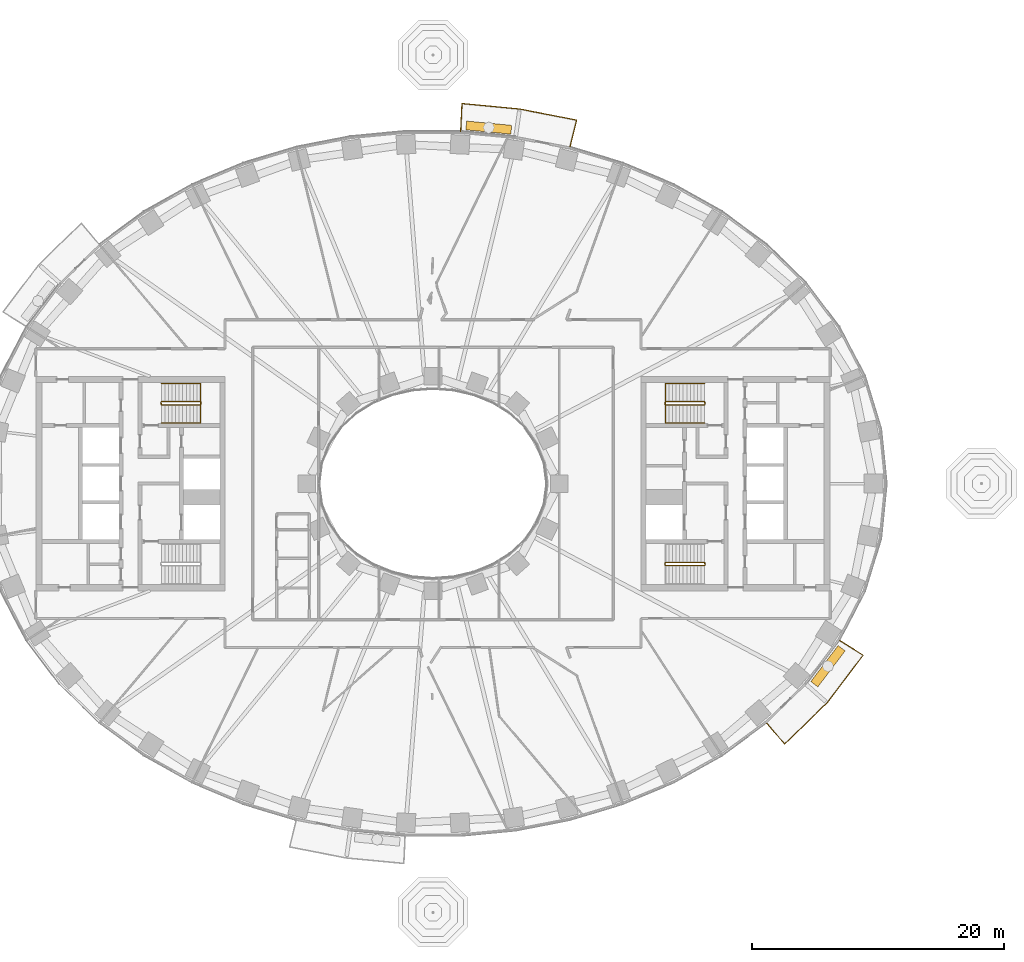
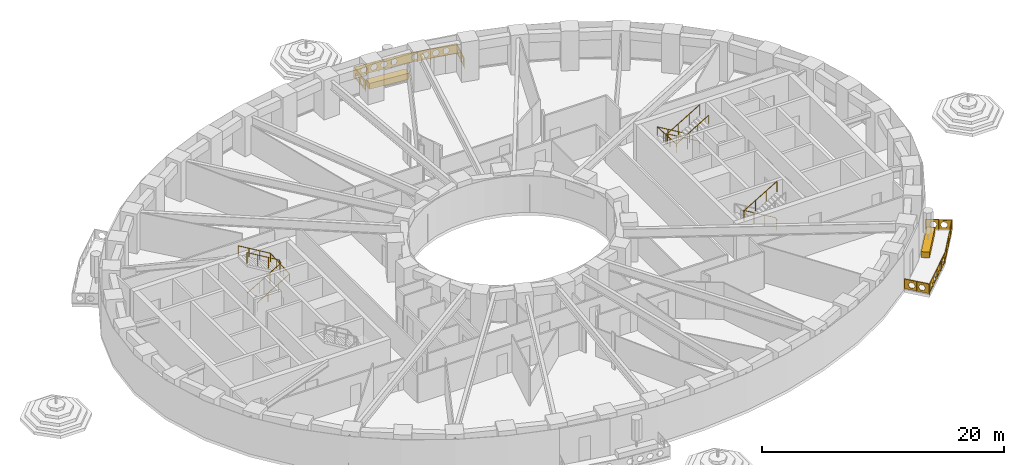
# One storey, part 14 of 20: 7 railings, 2 coverings.
"""IFC4 building model written with IfcOpenShell, lengths in metres."""

from ifc_helpers import new_model, si_unit, direction, frame, origin, origin_2d, place, context, subcontext, project, spatial, polyline, rectangle, outline, extrude, material, type_object, element, save


model = new_model("IFC4")

# Units and contexts
model_context = context("Model", 3, precision=1e-05, world=origin(), true_north=direction((0.0, 1.0)))
body_context = subcontext(model_context, "Body", "Model", "MODEL_VIEW")
ifc_project = project(units=[si_unit("LENGTHUNIT", "METRE"), si_unit("AREAUNIT", "SQUARE_METRE"), si_unit("VOLUMEUNIT", "CUBIC_METRE"), si_unit("PLANEANGLEUNIT", "RADIAN"), si_unit("MASSUNIT", "GRAM", prefix="KILO")], contexts=[model_context])

# Site, building, storey
site_placement = place(None, origin())
site = spatial("IfcSite", under=ifc_project, at=site_placement, CompositionType="ELEMENT")
building_placement = place(site_placement, origin())
building = spatial("IfcBuilding", under=site, at=building_placement, Name="Noorbagh Ring Tower", CompositionType="ELEMENT")
storey_placement = place(building_placement, frame((0.0, 0.0, 34.5)))
storey = spatial("IfcBuildingStorey", under=building, at=storey_placement, Name="L06", CompositionType="ELEMENT", Elevation=34.5)

# Railings
ifc_material_1 = material(Name="Stainless steel", Category="steel")
railing_type_1 = type_object("IfcRailingType", Name="CORE-STAIR-GUARD", PredefinedType="GUARDRAIL", material=ifc_material_1)
railing_1_placement = place(storey_placement, frame((-21.580078125, 6.300048828125, 0.0)))
element("IfcRailing", 1, at=railing_1_placement, inside=storey, type_object=railing_type_1, Name="L06 ST1 stair guard", PredefinedType="GUARDRAIL", context=body_context, shape_type="SweptSolid", body=[
    extrude(rectangle(XDim=0.048095703125, YDim=0.048095703125, at=origin_2d()), frame((0.0, 0.0, 1.076171875), z_axis=(0.0, 1.0, 0.0), x_axis=(-1.0, 0.0, 0.0)), (0.0, 0.0, 1.0), 0.14990234375),
    extrude(rectangle(XDim=0.048095703125, YDim=0.048095703125, at=origin_2d()), frame((0.0, 0.14990234375, 1.076171875), z_axis=(0.188775798145, -0.754182335027, 0.628945707965), x_axis=(0.970072785993, 0.242814311512, 0.0)), (0.0, 0.0, 1.0), 0.26513671875),
    extrude(rectangle(XDim=0.048095703125, YDim=0.048095703125, at=origin_2d()), frame((0.050048828125, -0.050048828125, 1.24267578125), z_axis=(0.859308565015, 0.0, 0.511457515432), x_axis=(0.0, 1.0, 0.0)), (0.0, 0.0, 1.0), 3.58447265625),
    extrude(rectangle(XDim=0.048095703125, YDim=0.048095703125, at=origin_2d()), frame((3.130126953125, -0.050048828125, 3.076171875), z_axis=(0.707106781187, 0.707106781187, 0.0), x_axis=(-0.707106781187, 0.707106781187, 0.0)), (0.0, 0.0, 1.0), 0.07080078125),
    extrude(rectangle(XDim=0.048095703125, YDim=0.048095703125, at=origin_2d()), frame((3.18017578125, 0.0, 3.076171875), z_axis=(0.0, 1.0, 0.0), x_axis=(-1.0, 0.0, 0.0)), (0.0, 0.0, 1.0), 0.14990234375),
    extrude(rectangle(XDim=0.048095703125, YDim=0.048095703125, at=origin_2d()), frame((3.18017578125, 0.14990234375, 3.076171875), z_axis=(-0.27628659633, 0.27628659633, 0.920506074601), x_axis=(-0.707106781187, -0.707106781187, 0.0)), (0.0, 0.0, 1.0), 0.18115234375),
    extrude(rectangle(XDim=0.048095703125, YDim=0.048095703125, at=origin_2d()), frame((3.130126953125, 0.199951171875, 3.24267578125), z_axis=(-0.859308565015, 0.0, 0.511457515432), x_axis=(0.0, -1.0, 0.0)), (0.0, 0.0, 1.0), 3.58447265625),
    extrude(rectangle(XDim=0.0419921875, YDim=0.0419921875, at=origin_2d()), origin(), (0.0, 0.0, 1.0), 1.052001953125),
    extrude(rectangle(XDim=0.0419921875, YDim=0.0419921875, at=origin_2d()), frame((1.07666015625, -0.050048828125, 0.77783203125)), (0.0, 0.0, 1.0), 1.052001953125),
    extrude(rectangle(XDim=0.0419921875, YDim=0.0419921875, at=origin_2d()), frame((2.103515625, -0.050048828125, 1.388916015625)), (0.0, 0.0, 1.0), 1.052001953125),
    extrude(rectangle(XDim=0.0419921875, YDim=0.0419921875, at=origin_2d()), frame((3.130126953125, -0.050048828125, 2.0)), (0.0, 0.0, 1.0), 1.052001953125),
    extrude(rectangle(XDim=0.0419921875, YDim=0.0419921875, at=origin_2d()), frame((3.130126953125, 0.199951171875, 2.166748046875)), (0.0, 0.0, 1.0), 1.052001953125),
    extrude(rectangle(XDim=0.0419921875, YDim=0.0419921875, at=origin_2d()), frame((2.103515625, 0.199951171875, 2.77783203125)), (0.0, 0.0, 1.0), 1.052001953125),
    extrude(rectangle(XDim=0.0419921875, YDim=0.0419921875, at=origin_2d()), frame((1.07666015625, 0.199951171875, 3.388916015625)), (0.0, 0.0, 1.0), 1.052001953125),
    extrude(rectangle(XDim=0.0419921875, YDim=0.0419921875, at=origin_2d()), frame((0.050048828125, 0.199951171875, 4.0)), (0.0, 0.0, 1.0), 1.052001953125),
])
railing_2_placement = place(storey_placement, frame((21.580078125, 6.449951171875, 0.0)))
element("IfcRailing", 2, at=railing_2_placement, inside=storey, type_object=railing_type_1, Name="L06 ST3 stair guard", PredefinedType="GUARDRAIL", context=body_context, shape_type="SweptSolid", body=[
    extrude(rectangle(XDim=0.048095703125, YDim=0.048095703125, at=origin_2d()), frame((0.0, 0.0, 1.076171875), z_axis=(0.0, -1.0, 0.0), x_axis=(1.0, 0.0, 0.0)), (0.0, 0.0, 1.0), 0.14990234375),
    extrude(rectangle(XDim=0.048095703125, YDim=0.048095703125, at=origin_2d()), frame((0.0, -0.14990234375, 1.076171875), z_axis=(-0.188775798145, 0.754182335027, 0.628945707965), x_axis=(-0.970072785993, -0.242814311512, 0.0)), (0.0, 0.0, 1.0), 0.26513671875),
    extrude(rectangle(XDim=0.048095703125, YDim=0.048095703125, at=origin_2d()), frame((-0.050048828125, 0.050048828125, 1.24267578125), z_axis=(-0.859308565015, 0.0, 0.511457515432), x_axis=(0.0, -1.0, 0.0)), (0.0, 0.0, 1.0), 3.58447265625),
    extrude(rectangle(XDim=0.048095703125, YDim=0.048095703125, at=origin_2d()), frame((-3.130126953125, 0.050048828125, 3.076171875), z_axis=(-0.707106781187, -0.707106781187, 0.0), x_axis=(0.707106781187, -0.707106781187, 0.0)), (0.0, 0.0, 1.0), 0.07080078125),
    extrude(rectangle(XDim=0.048095703125, YDim=0.048095703125, at=origin_2d()), frame((-3.18017578125, 0.0, 3.076171875), z_axis=(0.0, -1.0, 0.0), x_axis=(1.0, 0.0, 0.0)), (0.0, 0.0, 1.0), 0.14990234375),
    extrude(rectangle(XDim=0.048095703125, YDim=0.048095703125, at=origin_2d()), frame((-3.18017578125, -0.14990234375, 3.076171875), z_axis=(0.27628659633, -0.27628659633, 0.920506074601), x_axis=(0.707106781187, 0.707106781187, 0.0)), (0.0, 0.0, 1.0), 0.18115234375),
    extrude(rectangle(XDim=0.048095703125, YDim=0.048095703125, at=origin_2d()), frame((-3.130126953125, -0.199951171875, 3.24267578125), z_axis=(0.859308565015, 0.0, 0.511457515432), x_axis=(0.0, 1.0, 0.0)), (0.0, 0.0, 1.0), 3.58447265625),
    extrude(rectangle(XDim=0.0419921875, YDim=0.0419921875, at=origin_2d()), origin(), (0.0, 0.0, 1.0), 1.052001953125),
    extrude(rectangle(XDim=0.0419921875, YDim=0.0419921875, at=origin_2d()), frame((-1.07666015625, 0.050048828125, 0.77783203125)), (0.0, 0.0, 1.0), 1.052001953125),
    extrude(rectangle(XDim=0.0419921875, YDim=0.0419921875, at=origin_2d()), frame((-2.103515625, 0.050048828125, 1.388916015625)), (0.0, 0.0, 1.0), 1.052001953125),
    extrude(rectangle(XDim=0.0419921875, YDim=0.0419921875, at=origin_2d()), frame((-3.130126953125, 0.050048828125, 2.0)), (0.0, 0.0, 1.0), 1.052001953125),
    extrude(rectangle(XDim=0.0419921875, YDim=0.0419921875, at=origin_2d()), frame((-3.130126953125, -0.199951171875, 2.166748046875)), (0.0, 0.0, 1.0), 1.052001953125),
    extrude(rectangle(XDim=0.0419921875, YDim=0.0419921875, at=origin_2d()), frame((-2.103515625, -0.199951171875, 2.77783203125)), (0.0, 0.0, 1.0), 1.052001953125),
    extrude(rectangle(XDim=0.0419921875, YDim=0.0419921875, at=origin_2d()), frame((-1.07666015625, -0.199951171875, 3.388916015625)), (0.0, 0.0, 1.0), 1.052001953125),
    extrude(rectangle(XDim=0.0419921875, YDim=0.0419921875, at=origin_2d()), frame((-0.050048828125, -0.199951171875, 4.0)), (0.0, 0.0, 1.0), 1.052001953125),
])
railing_3_placement = place(storey_placement, frame((21.580078125, -6.300048828125, 0.0)))
element("IfcRailing", 3, at=railing_3_placement, inside=storey, type_object=railing_type_1, Name="L06 ST4 stair guard", PredefinedType="GUARDRAIL", context=body_context, shape_type="SweptSolid", body=[
    extrude(rectangle(XDim=0.048095703125, YDim=0.048095703125, at=origin_2d()), frame((0.0, 0.0, 1.076171875), z_axis=(0.0, -1.0, 0.0), x_axis=(1.0, 0.0, 0.0)), (0.0, 0.0, 1.0), 0.14990234375),
    extrude(rectangle(XDim=0.048095703125, YDim=0.048095703125, at=origin_2d()), frame((0.0, -0.14990234375, 1.076171875), z_axis=(-0.188775798145, 0.754182335027, 0.628945707965), x_axis=(-0.970072785993, -0.242814311512, 0.0)), (0.0, 0.0, 1.0), 0.26513671875),
    extrude(rectangle(XDim=0.048095703125, YDim=0.048095703125, at=origin_2d()), frame((-0.050048828125, 0.050048828125, 1.24267578125), z_axis=(-0.859308565015, 0.0, 0.511457515432), x_axis=(0.0, -1.0, 0.0)), (0.0, 0.0, 1.0), 3.58447265625),
    extrude(rectangle(XDim=0.048095703125, YDim=0.048095703125, at=origin_2d()), frame((-3.130126953125, 0.050048828125, 3.076171875), z_axis=(-0.707106781187, -0.707106781187, 0.0), x_axis=(0.707106781187, -0.707106781187, 0.0)), (0.0, 0.0, 1.0), 0.07080078125),
    extrude(rectangle(XDim=0.048095703125, YDim=0.048095703125, at=origin_2d()), frame((-3.18017578125, 0.0, 3.076171875), z_axis=(0.0, -1.0, 0.0), x_axis=(1.0, 0.0, 0.0)), (0.0, 0.0, 1.0), 0.14990234375),
    extrude(rectangle(XDim=0.048095703125, YDim=0.048095703125, at=origin_2d()), frame((-3.18017578125, -0.14990234375, 3.076171875), z_axis=(0.27628659633, -0.27628659633, 0.920506074601), x_axis=(0.707106781187, 0.707106781187, 0.0)), (0.0, 0.0, 1.0), 0.18115234375),
    extrude(rectangle(XDim=0.048095703125, YDim=0.048095703125, at=origin_2d()), frame((-3.130126953125, -0.199951171875, 3.24267578125), z_axis=(0.859308565015, 0.0, 0.511457515432), x_axis=(0.0, 1.0, 0.0)), (0.0, 0.0, 1.0), 3.58447265625),
    extrude(rectangle(XDim=0.0419921875, YDim=0.0419921875, at=origin_2d()), origin(), (0.0, 0.0, 1.0), 1.052001953125),
    extrude(rectangle(XDim=0.0419921875, YDim=0.0419921875, at=origin_2d()), frame((-1.07666015625, 0.050048828125, 0.77783203125)), (0.0, 0.0, 1.0), 1.052001953125),
    extrude(rectangle(XDim=0.0419921875, YDim=0.0419921875, at=origin_2d()), frame((-2.103515625, 0.050048828125, 1.388916015625)), (0.0, 0.0, 1.0), 1.052001953125),
    extrude(rectangle(XDim=0.0419921875, YDim=0.0419921875, at=origin_2d()), frame((-3.130126953125, 0.050048828125, 2.0)), (0.0, 0.0, 1.0), 1.052001953125),
    extrude(rectangle(XDim=0.0419921875, YDim=0.0419921875, at=origin_2d()), frame((-3.130126953125, -0.199951171875, 2.166748046875)), (0.0, 0.0, 1.0), 1.052001953125),
    extrude(rectangle(XDim=0.0419921875, YDim=0.0419921875, at=origin_2d()), frame((-2.103515625, -0.199951171875, 2.77783203125)), (0.0, 0.0, 1.0), 1.052001953125),
    extrude(rectangle(XDim=0.0419921875, YDim=0.0419921875, at=origin_2d()), frame((-1.07666015625, -0.199951171875, 3.388916015625)), (0.0, 0.0, 1.0), 1.052001953125),
    extrude(rectangle(XDim=0.0419921875, YDim=0.0419921875, at=origin_2d()), frame((-0.050048828125, -0.199951171875, 4.0)), (0.0, 0.0, 1.0), 1.052001953125),
])
ifc_material_2 = material(Name="Stainless steel", Category="steel")
railing_type_2 = type_object("IfcRailingType", Name="CORE-STAIR-HANDRAIL", PredefinedType="HANDRAIL", material=ifc_material_2)
railing_4_placement = place(storey_placement, frame((-21.530029296875, 4.800048828125, 0.166748046875)))
element("IfcRailing", 4, at=railing_4_placement, inside=storey, type_object=railing_type_2, Name="L06 ST1 stair handrail", PredefinedType="HANDRAIL", context=body_context, shape_type="SweptSolid", body=[
    extrude(rectangle(XDim=0.048095703125, YDim=0.048095703125, at=origin_2d()), frame((0.0, 0.0, 0.8759765625), z_axis=(0.859308565015, 0.0, 0.511457515432), x_axis=(0.0, 1.0, 0.0)), (0.0, 0.0, 1.0), 3.58447265625),
    extrude(rectangle(XDim=0.048095703125, YDim=0.048095703125, at=origin_2d()), frame((3.080078125, 0.0, 2.708984375), z_axis=(0.0, 0.998601747152, 0.052863509014), x_axis=(-1.0, 0.0, 0.0)), (0.0, 0.0, 1.0), 3.154296875),
    extrude(rectangle(XDim=0.048095703125, YDim=0.048095703125, at=origin_2d()), frame((3.080078125, 3.14990234375, 2.8759765625), z_axis=(-0.859308565015, 0.0, 0.511457515432), x_axis=(0.0, -1.0, 0.0)), (0.0, 0.0, 1.0), 3.58447265625),
    extrude(rectangle(XDim=0.0419921875, YDim=0.0419921875, at=origin_2d()), origin(), (0.0, 0.0, 1.0), 0.851806640625),
    extrude(rectangle(XDim=0.0419921875, YDim=0.0419921875, at=origin_2d()), frame((1.026611328125, 0.0, 0.611083984375)), (0.0, 0.0, 1.0), 0.851806640625),
    extrude(rectangle(XDim=0.0419921875, YDim=0.0419921875, at=origin_2d()), frame((2.053466796875, 0.0, 1.22216796875)), (0.0, 0.0, 1.0), 0.851806640625),
    extrude(rectangle(XDim=0.0419921875, YDim=0.0419921875, at=origin_2d()), frame((3.080078125, 0.0, 1.833251953125)), (0.0, 0.0, 1.0), 0.851806640625),
    extrude(rectangle(XDim=0.0419921875, YDim=0.0419921875, at=origin_2d()), frame((3.080078125, 1.050048828125, 1.888916015625)), (0.0, 0.0, 1.0), 0.851806640625),
    extrude(rectangle(XDim=0.0419921875, YDim=0.0419921875, at=origin_2d()), frame((3.080078125, 2.099853515625, 1.9443359375)), (0.0, 0.0, 1.0), 0.851806640625),
    extrude(rectangle(XDim=0.0419921875, YDim=0.0419921875, at=origin_2d()), frame((3.080078125, 3.14990234375, 2.0)), (0.0, 0.0, 1.0), 0.851806640625),
    extrude(rectangle(XDim=0.0419921875, YDim=0.0419921875, at=origin_2d()), frame((2.053466796875, 3.14990234375, 2.611083984375)), (0.0, 0.0, 1.0), 0.851806640625),
    extrude(rectangle(XDim=0.0419921875, YDim=0.0419921875, at=origin_2d()), frame((1.026611328125, 3.14990234375, 3.22216796875)), (0.0, 0.0, 1.0), 0.851806640625),
    extrude(rectangle(XDim=0.0419921875, YDim=0.0419921875, at=origin_2d()), frame((0.0, 3.14990234375, 3.833251953125)), (0.0, 0.0, 1.0), 0.851806640625),
])
railing_5_placement = place(storey_placement, frame((21.530029296875, 7.949951171875, 0.166748046875)))
element("IfcRailing", 5, at=railing_5_placement, inside=storey, type_object=railing_type_2, Name="L06 ST3 stair handrail", PredefinedType="HANDRAIL", context=body_context, shape_type="SweptSolid", body=[
    extrude(rectangle(XDim=0.048095703125, YDim=0.048095703125, at=origin_2d()), frame((0.0, 0.0, 0.8759765625), z_axis=(-0.859308565015, 0.0, 0.511457515432), x_axis=(0.0, -1.0, 0.0)), (0.0, 0.0, 1.0), 3.58447265625),
    extrude(rectangle(XDim=0.048095703125, YDim=0.048095703125, at=origin_2d()), frame((-3.080078125, 0.0, 2.708984375), z_axis=(0.0, -0.998601747152, 0.052863509014), x_axis=(1.0, 0.0, 0.0)), (0.0, 0.0, 1.0), 3.154296875),
    extrude(rectangle(XDim=0.048095703125, YDim=0.048095703125, at=origin_2d()), frame((-3.080078125, -3.14990234375, 2.8759765625), z_axis=(0.859308565015, 0.0, 0.511457515432), x_axis=(0.0, 1.0, 0.0)), (0.0, 0.0, 1.0), 3.58447265625),
    extrude(rectangle(XDim=0.0419921875, YDim=0.0419921875, at=origin_2d()), origin(), (0.0, 0.0, 1.0), 0.851806640625),
    extrude(rectangle(XDim=0.0419921875, YDim=0.0419921875, at=origin_2d()), frame((-1.026611328125, 0.0, 0.611083984375)), (0.0, 0.0, 1.0), 0.851806640625),
    extrude(rectangle(XDim=0.0419921875, YDim=0.0419921875, at=origin_2d()), frame((-2.053466796875, 0.0, 1.22216796875)), (0.0, 0.0, 1.0), 0.851806640625),
    extrude(rectangle(XDim=0.0419921875, YDim=0.0419921875, at=origin_2d()), frame((-3.080078125, 0.0, 1.833251953125)), (0.0, 0.0, 1.0), 0.851806640625),
    extrude(rectangle(XDim=0.0419921875, YDim=0.0419921875, at=origin_2d()), frame((-3.080078125, -1.050048828125, 1.888916015625)), (0.0, 0.0, 1.0), 0.851806640625),
    extrude(rectangle(XDim=0.0419921875, YDim=0.0419921875, at=origin_2d()), frame((-3.080078125, -2.099853515625, 1.9443359375)), (0.0, 0.0, 1.0), 0.851806640625),
    extrude(rectangle(XDim=0.0419921875, YDim=0.0419921875, at=origin_2d()), frame((-3.080078125, -3.14990234375, 2.0)), (0.0, 0.0, 1.0), 0.851806640625),
    extrude(rectangle(XDim=0.0419921875, YDim=0.0419921875, at=origin_2d()), frame((-2.053466796875, -3.14990234375, 2.611083984375)), (0.0, 0.0, 1.0), 0.851806640625),
    extrude(rectangle(XDim=0.0419921875, YDim=0.0419921875, at=origin_2d()), frame((-1.026611328125, -3.14990234375, 3.22216796875)), (0.0, 0.0, 1.0), 0.851806640625),
    extrude(rectangle(XDim=0.0419921875, YDim=0.0419921875, at=origin_2d()), frame((0.0, -3.14990234375, 3.833251953125)), (0.0, 0.0, 1.0), 0.851806640625),
])
ifc_material_3 = material(Name="Steel S275 black powder-coated", Category="steel")
railing_type_3 = type_object("IfcRailingType", Name="ENV-GUARD", PredefinedType="GUARDRAIL", material=ifc_material_3)
railing_6_placement = place(storey_placement, frame((10.865234375, 26.6943359375, 0.0)))
element("IfcRailing", 6, at=railing_6_placement, inside=storey, type_object=railing_type_3, Name="Balcony guard BN03", PredefinedType="GUARDRAIL", context=body_context, shape_type="SweptSolid", body=[
    extrude(rectangle(XDim=0.048095703125, YDim=0.048095703125, at=origin_2d()), frame((0.0, 0.0, 1.076171875), z_axis=(0.239848558412, 0.970810315679, 0.0), x_axis=(-0.970810315679, 0.239848558412, 0.0)), (0.0, 0.0, 1.0), 2.20263671875),
    extrude(rectangle(XDim=0.048095703125, YDim=0.048095703125, at=origin_2d()), frame((0.5283203125, 2.138427734375, 1.076171875), z_axis=(-0.981625049064, 0.1908199755, 0.0), x_axis=(-0.1908199755, -0.981625049064, 0.0)), (0.0, 0.0, 1.0), 4.603271484375),
    extrude(rectangle(XDim=0.048095703125, YDim=0.048095703125, at=origin_2d()), frame((-3.990478515625, 3.016845703125, 1.076171875), z_axis=(-0.995477555764, 0.094997031379, 0.0), x_axis=(-0.094997031379, -0.995477555764, 0.0)), (0.0, 0.0, 1.0), 4.59765625),
    extrude(rectangle(XDim=0.048095703125, YDim=0.048095703125, at=origin_2d()), frame((-8.5673828125, 3.45361328125, 1.076171875), z_axis=(-0.047554616162, -0.998868639252, 0.0), x_axis=(0.998868639252, -0.047554616162, 0.0)), (0.0, 0.0, 1.0), 2.202392578125),
    extrude(rectangle(XDim=0.0419921875, YDim=0.0419921875, at=origin_2d()), origin(), (0.0, 0.0, 1.0), 1.052001953125),
    extrude(rectangle(XDim=0.0419921875, YDim=0.0419921875, at=origin_2d()), frame((0.26416015625, 1.0693359375, 0.0)), (0.0, 0.0, 1.0), 1.052001953125),
    extrude(rectangle(XDim=0.0419921875, YDim=0.0419921875, at=origin_2d()), frame((0.5283203125, 2.138427734375, 0.0)), (0.0, 0.0, 1.0), 1.052001953125),
    extrude(rectangle(XDim=0.0419921875, YDim=0.0419921875, at=origin_2d()), frame((-0.601318359375, 2.35791015625, 0.0)), (0.0, 0.0, 1.0), 1.052001953125),
    extrude(rectangle(XDim=0.0419921875, YDim=0.0419921875, at=origin_2d()), frame((-1.73095703125, 2.57763671875, 0.0)), (0.0, 0.0, 1.0), 1.052001953125),
    extrude(rectangle(XDim=0.0419921875, YDim=0.0419921875, at=origin_2d()), frame((-2.86083984375, 2.79736328125, 0.0)), (0.0, 0.0, 1.0), 1.052001953125),
    extrude(rectangle(XDim=0.0419921875, YDim=0.0419921875, at=origin_2d()), frame((-3.990478515625, 3.016845703125, 0.0)), (0.0, 0.0, 1.0), 1.052001953125),
    extrude(rectangle(XDim=0.0419921875, YDim=0.0419921875, at=origin_2d()), frame((-5.134765625, 3.1259765625, 0.0)), (0.0, 0.0, 1.0), 1.052001953125),
    extrude(rectangle(XDim=0.0419921875, YDim=0.0419921875, at=origin_2d()), frame((-6.27880859375, 3.2353515625, 0.0)), (0.0, 0.0, 1.0), 1.052001953125),
    extrude(rectangle(XDim=0.0419921875, YDim=0.0419921875, at=origin_2d()), frame((-7.423095703125, 3.344482421875, 0.0)), (0.0, 0.0, 1.0), 1.052001953125),
    extrude(rectangle(XDim=0.0419921875, YDim=0.0419921875, at=origin_2d()), frame((-8.5673828125, 3.45361328125, 0.0)), (0.0, 0.0, 1.0), 1.052001953125),
    extrude(rectangle(XDim=0.0419921875, YDim=0.0419921875, at=origin_2d()), frame((-8.61962890625, 2.353515625, 0.0)), (0.0, 0.0, 1.0), 1.052001953125),
    extrude(rectangle(XDim=0.0419921875, YDim=0.0419921875, at=origin_2d()), frame((-8.672119140625, 1.253662109375, 0.0)), (0.0, 0.0, 1.0), 1.052001953125),
    extrude(outline(polyline([(0.0, 0.10009765625), (2.20263671875, 0.10009765625), (2.20263671875, 1.031982421875), (0.0, 1.031982421875), (0.0, 0.10009765625)]), holes=[polyline([(0.96142578125, 0.56591796875), (0.806396484375, 0.83447265625), (0.496337890625, 0.83447265625), (0.34130859375, 0.56591796875), (0.496337890625, 0.297607421875), (0.806396484375, 0.297607421875), (0.96142578125, 0.56591796875)]), polyline([(1.861328125, 0.56591796875), (1.706298828125, 0.83447265625), (1.396240234375, 0.83447265625), (1.241455078125, 0.56591796875), (1.396240234375, 0.297607421875), (1.706298828125, 0.297607421875), (1.861328125, 0.56591796875)])]), frame((-0.009765625, 0.00244140625, 0.0), z_axis=(0.970810315679, -0.239848558412, 0.0), x_axis=(0.239848558412, 0.970810315679, 0.0)), (0.0, 0.0, 1.0), 0.02001953125),
    extrude(outline(polyline([(0.0, 0.10009765625), (4.603271484375, 0.10009765625), (4.603271484375, 1.031982421875), (0.0, 1.031982421875), (0.0, 0.10009765625)]), holes=[polyline([(1.26171875, 0.56591796875), (1.106689453125, 0.83447265625), (0.796630859375, 0.83447265625), (0.6416015625, 0.56591796875), (0.796630859375, 0.297607421875), (1.106689453125, 0.297607421875), (1.26171875, 0.56591796875)]), polyline([(2.16162109375, 0.56591796875), (2.006591796875, 0.83447265625), (1.69677734375, 0.83447265625), (1.541748046875, 0.56591796875), (1.69677734375, 0.297607421875), (2.006591796875, 0.297607421875), (2.16162109375, 0.56591796875)]), polyline([(3.061767578125, 0.56591796875), (2.90673828125, 0.83447265625), (2.5966796875, 0.83447265625), (2.441650390625, 0.56591796875), (2.5966796875, 0.297607421875), (2.90673828125, 0.297607421875), (3.061767578125, 0.56591796875)]), polyline([(3.961669921875, 0.56591796875), (3.806640625, 0.83447265625), (3.49658203125, 0.83447265625), (3.341796875, 0.56591796875), (3.49658203125, 0.297607421875), (3.806640625, 0.297607421875), (3.961669921875, 0.56591796875)])]), frame((0.5263671875, 2.128662109375, 0.0), z_axis=(0.1908199755, 0.981625049064, 0.0), x_axis=(-0.981625049064, 0.1908199755, 0.0)), (0.0, 0.0, 1.0), 0.02001953125),
    extrude(outline(polyline([(0.0, 0.10009765625), (4.59765625, 0.10009765625), (4.59765625, 1.031982421875), (0.0, 1.031982421875), (0.0, 0.10009765625)]), holes=[polyline([(1.2587890625, 0.56591796875), (1.103759765625, 0.83447265625), (0.7939453125, 0.83447265625), (0.638916015625, 0.56591796875), (0.7939453125, 0.297607421875), (1.103759765625, 0.297607421875), (1.2587890625, 0.56591796875)]), polyline([(2.158935546875, 0.56591796875), (2.00390625, 0.83447265625), (1.69384765625, 0.83447265625), (1.538818359375, 0.56591796875), (1.69384765625, 0.297607421875), (2.00390625, 0.297607421875), (2.158935546875, 0.56591796875)]), polyline([(3.058837890625, 0.56591796875), (2.90380859375, 0.83447265625), (2.59375, 0.83447265625), (2.43896484375, 0.56591796875), (2.59375, 0.297607421875), (2.90380859375, 0.297607421875), (3.058837890625, 0.56591796875)]), polyline([(3.958740234375, 0.56591796875), (3.803955078125, 0.83447265625), (3.493896484375, 0.83447265625), (3.3388671875, 0.56591796875), (3.493896484375, 0.297607421875), (3.803955078125, 0.297607421875), (3.958740234375, 0.56591796875)])]), frame((-3.991455078125, 3.0068359375, 0.0), z_axis=(0.094997031379, 0.995477555764, 0.0), x_axis=(-0.995477555764, 0.094997031379, 0.0)), (0.0, 0.0, 1.0), 0.02001953125),
    extrude(outline(polyline([(0.0, 0.10009765625), (2.202392578125, 0.10009765625), (2.202392578125, 1.031982421875), (0.0, 1.031982421875), (0.0, 0.10009765625)]), holes=[polyline([(0.961181640625, 0.56591796875), (0.80615234375, 0.83447265625), (0.496337890625, 0.83447265625), (0.34130859375, 0.56591796875), (0.496337890625, 0.297607421875), (0.80615234375, 0.297607421875), (0.961181640625, 0.56591796875)]), polyline([(1.861328125, 0.56591796875), (1.706298828125, 0.83447265625), (1.396240234375, 0.83447265625), (1.2412109375, 0.56591796875), (1.396240234375, 0.297607421875), (1.706298828125, 0.297607421875), (1.861328125, 0.56591796875)])]), frame((-8.557373046875, 3.453125, 0.0), z_axis=(-0.998868639252, 0.047554616162, 0.0), x_axis=(-0.047554616162, -0.998868639252, 0.0)), (0.0, 0.0, 1.0), 0.02001953125),
])
railing_7_placement = place(storey_placement, frame((26.463134765625, -18.983154296875, 0.0)))
element("IfcRailing", 7, at=railing_7_placement, inside=storey, type_object=railing_type_3, Name="Balcony guard BS06", PredefinedType="GUARDRAIL", context=body_context, shape_type="SweptSolid", body=[
    extrude(rectangle(XDim=0.048095703125, YDim=0.048095703125, at=origin_2d()), frame((0.0, 0.0, 1.076171875), z_axis=(0.646413574048, -0.762987215677, 0.0), x_axis=(0.762987215677, 0.646413574048, 0.0)), (0.0, 0.0, 1.0), 2.205322265625),
    extrude(rectangle(XDim=0.048095703125, YDim=0.048095703125, at=origin_2d()), frame((1.425537109375, -1.6826171875, 1.076171875), z_axis=(0.717212632946, 0.696854388766, 0.0), x_axis=(-0.696854388766, 0.717212632946, 0.0)), (0.0, 0.0, 1.0), 4.700927734375),
    extrude(rectangle(XDim=0.048095703125, YDim=0.048095703125, at=origin_2d()), frame((4.797119140625, 1.59326171875, 1.076171875), z_axis=(0.604001613322, 0.796983093362, 0.0), x_axis=(-0.796983093362, 0.604001613322, 0.0)), (0.0, 0.0, 1.0), 4.7353515625),
    extrude(rectangle(XDim=0.048095703125, YDim=0.048095703125, at=origin_2d()), frame((7.6572265625, 5.3671875, 1.076171875), z_axis=(-0.844852397829, 0.534999463442, 0.0), x_axis=(-0.534999463442, -0.844852397829, 0.0)), (0.0, 0.0, 1.0), 2.207763671875),
    extrude(rectangle(XDim=0.0419921875, YDim=0.0419921875, at=origin_2d()), origin(), (0.0, 0.0, 1.0), 1.052001953125),
    extrude(rectangle(XDim=0.0419921875, YDim=0.0419921875, at=origin_2d()), frame((0.712890625, -0.84130859375, 0.0)), (0.0, 0.0, 1.0), 1.052001953125),
    extrude(rectangle(XDim=0.0419921875, YDim=0.0419921875, at=origin_2d()), frame((1.425537109375, -1.6826171875, 0.0)), (0.0, 0.0, 1.0), 1.052001953125),
    extrude(rectangle(XDim=0.0419921875, YDim=0.0419921875, at=origin_2d()), frame((2.2685546875, -0.86376953125, 0.0)), (0.0, 0.0, 1.0), 1.052001953125),
    extrude(rectangle(XDim=0.0419921875, YDim=0.0419921875, at=origin_2d()), frame((3.111328125, -0.044677734375, 0.0)), (0.0, 0.0, 1.0), 1.052001953125),
    extrude(rectangle(XDim=0.0419921875, YDim=0.0419921875, at=origin_2d()), frame((3.9541015625, 0.7744140625, 0.0)), (0.0, 0.0, 1.0), 1.052001953125),
    extrude(rectangle(XDim=0.0419921875, YDim=0.0419921875, at=origin_2d()), frame((4.797119140625, 1.59326171875, 0.0)), (0.0, 0.0, 1.0), 1.052001953125),
    extrude(rectangle(XDim=0.0419921875, YDim=0.0419921875, at=origin_2d()), frame((5.51220703125, 2.53662109375, 0.0)), (0.0, 0.0, 1.0), 1.052001953125),
    extrude(rectangle(XDim=0.0419921875, YDim=0.0419921875, at=origin_2d()), frame((6.22705078125, 3.480224609375, 0.0)), (0.0, 0.0, 1.0), 1.052001953125),
    extrude(rectangle(XDim=0.0419921875, YDim=0.0419921875, at=origin_2d()), frame((6.942138671875, 4.423828125, 0.0)), (0.0, 0.0, 1.0), 1.052001953125),
    extrude(rectangle(XDim=0.0419921875, YDim=0.0419921875, at=origin_2d()), frame((7.6572265625, 5.3671875, 0.0)), (0.0, 0.0, 1.0), 1.052001953125),
    extrude(rectangle(XDim=0.0419921875, YDim=0.0419921875, at=origin_2d()), frame((6.724609375, 5.957763671875, 0.0)), (0.0, 0.0, 1.0), 1.052001953125),
    extrude(rectangle(XDim=0.0419921875, YDim=0.0419921875, at=origin_2d()), frame((5.7919921875, 6.54833984375, 0.0)), (0.0, 0.0, 1.0), 1.052001953125),
    extrude(outline(polyline([(0.0, 0.10009765625), (2.205322265625, 0.10009765625), (2.205322265625, 1.031982421875), (0.0, 1.031982421875), (0.0, 0.10009765625)]), holes=[polyline([(0.962646484375, 0.56591796875), (0.8076171875, 0.83447265625), (0.49755859375, 0.83447265625), (0.342529296875, 0.56591796875), (0.49755859375, 0.297607421875), (0.8076171875, 0.297607421875), (0.962646484375, 0.56591796875)]), polyline([(1.862548828125, 0.56591796875), (1.707763671875, 0.83447265625), (1.397705078125, 0.83447265625), (1.24267578125, 0.56591796875), (1.397705078125, 0.297607421875), (1.707763671875, 0.297607421875), (1.862548828125, 0.56591796875)])]), frame((0.007568359375, 0.00634765625, 0.0), z_axis=(-0.762987215677, -0.646413574048, 0.0), x_axis=(0.646413574048, -0.762987215677, 0.0)), (0.0, 0.0, 1.0), 0.02001953125),
    extrude(outline(polyline([(0.0, 0.10009765625), (4.700927734375, 0.10009765625), (4.700927734375, 1.031982421875), (0.0, 1.031982421875), (0.0, 0.10009765625)]), holes=[polyline([(0.860595703125, 0.56591796875), (0.70556640625, 0.83447265625), (0.3955078125, 0.83447265625), (0.240478515625, 0.56591796875), (0.3955078125, 0.297607421875), (0.70556640625, 0.297607421875), (0.860595703125, 0.56591796875)]), polyline([(1.760498046875, 0.56591796875), (1.60546875, 0.83447265625), (1.29541015625, 0.83447265625), (1.140380859375, 0.56591796875), (1.29541015625, 0.297607421875), (1.60546875, 0.297607421875), (1.760498046875, 0.56591796875)]), polyline([(2.660400390625, 0.56591796875), (2.50537109375, 0.83447265625), (2.195556640625, 0.83447265625), (2.04052734375, 0.56591796875), (2.195556640625, 0.297607421875), (2.50537109375, 0.297607421875), (2.660400390625, 0.56591796875)]), polyline([(3.560546875, 0.56591796875), (3.405517578125, 0.83447265625), (3.095458984375, 0.83447265625), (2.9404296875, 0.56591796875), (3.095458984375, 0.297607421875), (3.405517578125, 0.297607421875), (3.560546875, 0.56591796875)]), polyline([(4.46044921875, 0.56591796875), (4.305419921875, 0.83447265625), (3.995361328125, 0.83447265625), (3.840576171875, 0.56591796875), (3.995361328125, 0.297607421875), (4.305419921875, 0.297607421875), (4.46044921875, 0.56591796875)])]), frame((1.41845703125, -1.675537109375, 0.0), z_axis=(0.696854388766, -0.717212632946, 0.0), x_axis=(0.717212632946, 0.696854388766, 0.0)), (0.0, 0.0, 1.0), 0.02001953125),
    extrude(outline(polyline([(0.0, 0.10009765625), (4.7353515625, 0.10009765625), (4.7353515625, 1.031982421875), (0.0, 1.031982421875), (0.0, 0.10009765625)]), holes=[polyline([(0.877685546875, 0.56591796875), (0.72265625, 0.83447265625), (0.41259765625, 0.83447265625), (0.257568359375, 0.56591796875), (0.41259765625, 0.297607421875), (0.72265625, 0.297607421875), (0.877685546875, 0.56591796875)]), polyline([(1.777587890625, 0.56591796875), (1.62255859375, 0.83447265625), (1.312744140625, 0.83447265625), (1.15771484375, 0.56591796875), (1.312744140625, 0.297607421875), (1.62255859375, 0.297607421875), (1.777587890625, 0.56591796875)]), polyline([(2.677734375, 0.56591796875), (2.522705078125, 0.83447265625), (2.212646484375, 0.83447265625), (2.0576171875, 0.56591796875), (2.212646484375, 0.297607421875), (2.522705078125, 0.297607421875), (2.677734375, 0.56591796875)]), polyline([(3.57763671875, 0.56591796875), (3.422607421875, 0.83447265625), (3.112548828125, 0.83447265625), (2.95751953125, 0.56591796875), (3.112548828125, 0.297607421875), (3.422607421875, 0.297607421875), (3.57763671875, 0.56591796875)]), polyline([(4.4775390625, 0.56591796875), (4.32275390625, 0.83447265625), (4.0126953125, 0.83447265625), (3.857666015625, 0.56591796875), (4.0126953125, 0.297607421875), (4.32275390625, 0.297607421875), (4.4775390625, 0.56591796875)])]), frame((4.7890625, 1.599365234375, 0.0), z_axis=(0.796983093362, -0.604001613322, 0.0), x_axis=(0.604001613322, 0.796983093362, 0.0)), (0.0, 0.0, 1.0), 0.02001953125),
    extrude(outline(polyline([(0.0, 0.10009765625), (2.207763671875, 0.10009765625), (2.207763671875, 1.031982421875), (0.0, 1.031982421875), (0.0, 0.10009765625)]), holes=[polyline([(0.9638671875, 0.56591796875), (0.808837890625, 0.83447265625), (0.498779296875, 0.83447265625), (0.343994140625, 0.56591796875), (0.498779296875, 0.297607421875), (0.808837890625, 0.297607421875), (0.9638671875, 0.56591796875)]), polyline([(1.86376953125, 0.56591796875), (1.708984375, 0.83447265625), (1.39892578125, 0.83447265625), (1.243896484375, 0.56591796875), (1.39892578125, 0.297607421875), (1.708984375, 0.297607421875), (1.86376953125, 0.56591796875)])]), frame((7.65185546875, 5.358642578125, 0.0), z_axis=(0.534999463442, 0.844852397829, 0.0), x_axis=(-0.844852397829, 0.534999463442, 0.0)), (0.0, 0.0, 1.0), 0.02001953125),
])

# Coverings
ifc_material_4 = material(Name="Concrete C30/37 planter with soil", Category="concrete")
covering_type = type_object("IfcCoveringType", Name="ENV-PLANTER", PredefinedType="CLADDING", material=ifc_material_4)
covering_1_placement = place(storey_placement, frame((4.423828125, 28.2373046875, 0.0), z_axis=(0.0, 0.0, 1.0), x_axis=(-0.995476497323, 0.095008122171, 0.0)))
element("IfcCovering", 8, at=covering_1_placement, inside=storey, type_object=covering_type, Name="PLANTER BN03", ObjectType="PLANTER", PredefinedType="CLADDING", context=body_context, shape_type="SweptSolid", body=[
    extrude(rectangle(XDim=3.58642578125, YDim=0.699951171875, at=origin_2d()), origin(), (0.0, 0.0, 1.0), 0.60009765625),
])
covering_2_placement = place(storey_placement, frame((31.329833984375, -14.4833984375, 0.0), z_axis=(0.0, 0.0, 1.0), x_axis=(0.604020184358, 0.796969018776, 0.0)))
element("IfcCovering", 9, at=covering_2_placement, inside=storey, type_object=covering_type, Name="PLANTER BS06", ObjectType="PLANTER", PredefinedType="CLADDING", context=body_context, shape_type="SweptSolid", body=[
    extrude(rectangle(XDim=3.583251953125, YDim=0.699951171875, at=origin_2d()), origin(), (0.0, 0.0, 1.0), 0.60009765625),
])

save(model, "model.ifc")
